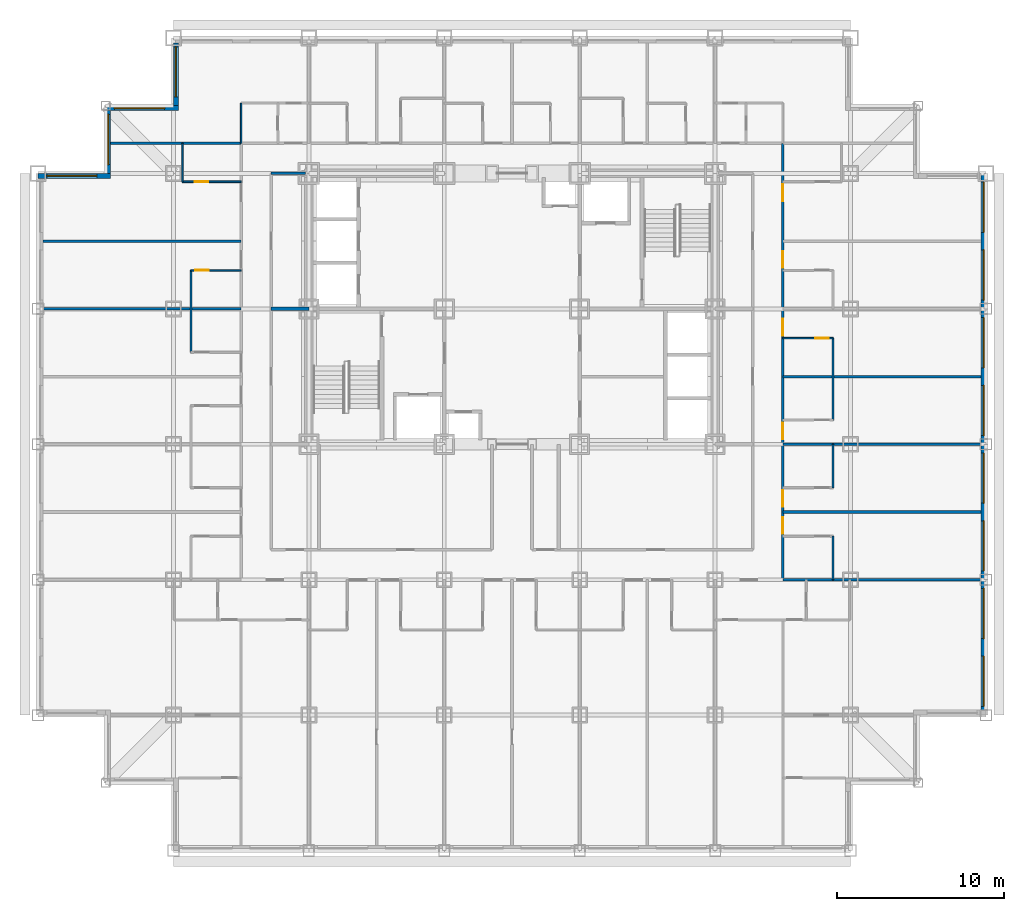
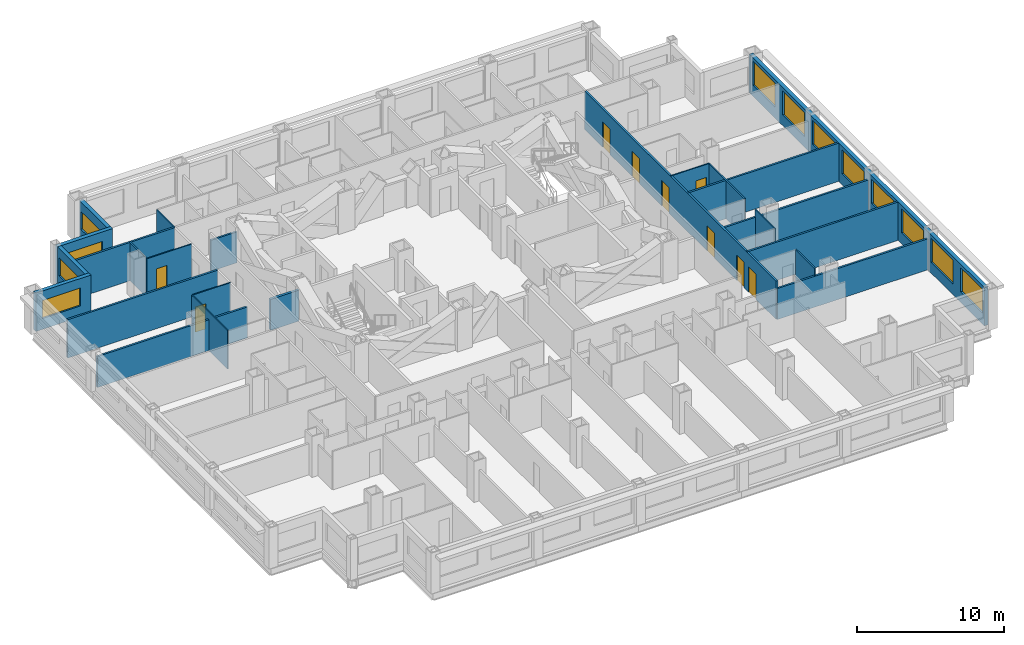
# One storey, part 7 of 11: 24 walls, 12 windows, 9 doors, 21 openings.
"""IFC4 building model written with IfcOpenShell, lengths in metres."""

from ifc_helpers import new_model, si_unit, direction, frame, frame_2d, origin, place, context, subcontext, project, spatial, rectangle, extrude, material, layer, layer_set, type_object, element, fill, save


model = new_model("IFC4")

# Units and contexts
model_context = context("Model", 3, precision=1e-05, world=origin(), true_north=direction((0.0, 1.0)))
body_context = subcontext(model_context, "Body", "Model", "MODEL_VIEW")
ifc_project = project(units=[si_unit("LENGTHUNIT", "METRE"), si_unit("AREAUNIT", "SQUARE_METRE"), si_unit("VOLUMEUNIT", "CUBIC_METRE"), si_unit("PLANEANGLEUNIT", "RADIAN"), si_unit("MASSUNIT", "GRAM", prefix="KILO")], contexts=[model_context])

# Site, building, storey
site_placement = place(None, origin())
site = spatial("IfcSite", under=ifc_project, at=site_placement, CompositionType="ELEMENT")
building_placement = place(site_placement, origin())
building = spatial("IfcBuilding", under=site, at=building_placement, Name="Kopane Lantern Tower", CompositionType="ELEMENT")
storey_placement = place(building_placement, frame((0.0, 0.0, 33.0)))
storey = spatial("IfcBuildingStorey", under=building, at=storey_placement, Name="L06", CompositionType="ELEMENT", Elevation=33.0)

# Wall
ifc_material_1 = material(Name="Moisture-resistant board on steel studs", Category="steel")
ifc_layer_1 = layer(ifc_material_1, 0.10009765625)
ifc_layer_set_1 = layer_set([ifc_layer_1], Name="BATHROOM WALL 100")
wall_type_1 = type_object("IfcWallType", Name="BATHROOM WALL 100", PredefinedType="PARTITIONING", material=ifc_layer_set_1)
wall_1_placement = place(storey_placement, frame((9.14990234375, 29.800048828125, 0.0), z_axis=(0.0, 0.0, 1.0), x_axis=(0.0, 1.0, 0.0)))
element("IfcWall", 1, at=wall_1_placement, inside=storey, type_object=wall_type_1, Name="Bathroom Wall 100 L06", PredefinedType="PARTITIONING", context=body_context, shape_type="SweptSolid", body=[
    extrude(rectangle(XDim=4.89990234375, YDim=0.10009765625, at=frame_2d((2.449951171875, 0.0))), origin(), (0.0, 0.0, 1.0), 3.18994140625),
])

# Wall, opening, door
wall_2_placement = place(storey_placement, frame((12.14990234375, 34.699951171875, 0.0), z_axis=(0.0, 0.0, 1.0), x_axis=(-1.0, 0.0, 0.0)))
wall_2 = element("IfcWall", 2, at=wall_2_placement, inside=storey, type_object=wall_type_1, Name="Bathroom Wall 100 L06", PredefinedType="PARTITIONING", context=body_context, shape_type="SweptSolid", body=[
    extrude(rectangle(XDim=3.0, YDim=0.10009765625, at=frame_2d((1.5, 0.0))), origin(), (0.0, 0.0, 1.0), 3.18994140625),
])
opening_1_placement = place(wall_2_placement, frame((1.949951171875, 0.0, 0.0)))
opening_1 = element("IfcOpeningElement", 3, at=opening_1_placement, cuts=wall_2, Name="Opening L06-043", PredefinedType="OPENING", context=body_context, shape_type="SweptSolid", body=[
    extrude(rectangle(XDim=0.800048828125, YDim=2.10009765625, at=frame_2d((0.39990234375, 1.050048828125))), frame((0.0, 0.06005859375, 0.0), z_axis=(0.0, -1.0, 0.0), x_axis=(1.0, 0.0, 0.0)), (0.0, 0.0, 1.0), 0.1201171875),
])
ifc_material_2 = material(Name="Timber door set", Category="wood")
door_type_1 = type_object("IfcDoorType", Name="DOOR D2 800x2100", OperationType="SINGLE_SWING_LEFT", PredefinedType="DOOR", material=ifc_material_2)
door_1_placement = place(opening_1_placement, origin())
door_1 = element("IfcDoor", 4, at=door_1_placement, inside=storey, type_object=door_type_1, Name="Door L06-043", OperationType="SINGLE_SWING_RIGHT", OverallHeight=2.10009765625, OverallWidth=0.800048828125, PredefinedType="DOOR", context=body_context, shape_type="SweptSolid", body=[
    extrude(rectangle(XDim=0.800048828125, YDim=2.10009765625, at=frame_2d((0.39990234375, 1.050048828125))), frame((0.0, 0.02490234375, 0.0), z_axis=(0.0, -1.0, 0.0), x_axis=(1.0, 0.0, 0.0)), (0.0, 0.0, 1.0), 0.050048828125),
])
fill(opening_1, door_1)

# Wall
wall_3_placement = place(storey_placement, frame((8.635009765625, 40.0, 0.0), z_axis=(0.0, 0.0, 1.0), x_axis=(0.0, 1.0, 0.0)))
element("IfcWall", 5, at=wall_3_placement, inside=storey, type_object=wall_type_1, Name="Bathroom Wall 100 L06", PredefinedType="PARTITIONING", context=body_context, shape_type="SweptSolid", body=[
    extrude(rectangle(XDim=2.300048828125, YDim=0.10009765625, at=frame_2d((1.14990234375, 0.0))), origin(), (0.0, 0.0, 1.0), 3.18994140625),
])

# Wall, opening, door
wall_4_placement = place(storey_placement, frame((12.14990234375, 40.0, 0.0), z_axis=(0.0, 0.0, 1.0), x_axis=(-1.0, 0.0, 0.0)))
wall_4 = element("IfcWall", 6, at=wall_4_placement, inside=storey, type_object=wall_type_1, Name="Bathroom Wall 100 L06", PredefinedType="PARTITIONING", context=body_context, shape_type="SweptSolid", body=[
    extrude(rectangle(XDim=3.514892578125, YDim=0.10009765625, at=frame_2d((1.75732421875, 0.0))), origin(), (0.0, 0.0, 1.0), 3.18994140625),
])
opening_2_placement = place(wall_4_placement, frame((1.965087890625, 0.0, 0.0)))
opening_2 = element("IfcOpeningElement", 7, at=opening_2_placement, cuts=wall_4, Name="Opening L06-045", PredefinedType="OPENING", context=body_context, shape_type="SweptSolid", body=[
    extrude(rectangle(XDim=0.800048828125, YDim=2.10009765625, at=frame_2d((0.39990234375, 1.050048828125))), frame((0.0, 0.06005859375, 0.0), z_axis=(0.0, -1.0, 0.0), x_axis=(1.0, 0.0, 0.0)), (0.0, 0.0, 1.0), 0.1201171875),
])
door_2_placement = place(opening_2_placement, origin())
door_2 = element("IfcDoor", 8, at=door_2_placement, inside=storey, type_object=door_type_1, Name="Door L06-045", OperationType="SINGLE_SWING_LEFT", OverallHeight=2.10009765625, OverallWidth=0.800048828125, PredefinedType="DOOR", context=body_context, shape_type="SweptSolid", body=[
    extrude(rectangle(XDim=0.800048828125, YDim=2.10009765625, at=frame_2d((0.39990234375, 1.050048828125))), frame((0.0, 0.02490234375, 0.0), z_axis=(0.0, -1.0, 0.0), x_axis=(1.0, 0.0, 0.0)), (0.0, 0.0, 1.0), 0.050048828125),
])
fill(opening_2, door_2)

# Walls
for number, where, z_axis, x_axis, name in (
    (9, (47.550048828125, 16.199951171875, 0.0), (0.0, 0.0, 1.0), (0.0, 1.0, 0.0), "Bathroom Wall 100 L06"),
    (10, (47.550048828125, 21.699951171875, 0.0), (0.0, 0.0, 1.0), (0.0, 1.0, 0.0), "Bathroom Wall 100 L06"),
):
    element("IfcWall", number, at=place(storey_placement, frame(where, z_axis=z_axis, x_axis=x_axis)), inside=storey, type_object=wall_type_1, Name=name, PredefinedType="PARTITIONING", context=body_context, shape_type="SweptSolid", body=[
        extrude(rectangle(XDim=2.60009765625, YDim=0.10009765625, at=frame_2d((1.300048828125, 0.0))), origin(), (0.0, 0.0, 1.0), 3.18994140625),
    ])
wall_5_placement = place(storey_placement, frame((47.550048828125, 25.75, 0.0), z_axis=(0.0, 0.0, 1.0), x_axis=(0.0, 1.0, 0.0)))
element("IfcWall", 11, at=wall_5_placement, inside=storey, type_object=wall_type_1, Name="Bathroom Wall 100 L06", PredefinedType="PARTITIONING", context=body_context, shape_type="SweptSolid", body=[
    extrude(rectangle(XDim=4.89990234375, YDim=0.10009765625, at=frame_2d((2.449951171875, 0.0))), origin(), (0.0, 0.0, 1.0), 3.18994140625),
])

# Wall, opening, door
wall_6_placement = place(storey_placement, frame((44.550048828125, 30.64990234375, 0.0), z_axis=(0.0, 0.0, 1.0), x_axis=(1.0, 0.0, 0.0)))
wall_6 = element("IfcWall", 12, at=wall_6_placement, inside=storey, type_object=wall_type_1, Name="Bathroom Wall 100 L06", PredefinedType="PARTITIONING", context=body_context, shape_type="SweptSolid", body=[
    extrude(rectangle(XDim=3.0, YDim=0.10009765625, at=frame_2d((1.5, 0.0))), origin(), (0.0, 0.0, 1.0), 3.18994140625),
])
opening_3_placement = place(wall_6_placement, frame((1.949951171875, 0.0, 0.0)))
opening_3 = element("IfcOpeningElement", 13, at=opening_3_placement, cuts=wall_6, Name="Opening L06-053", PredefinedType="OPENING", context=body_context, shape_type="SweptSolid", body=[
    extrude(rectangle(XDim=0.800048828125, YDim=2.10009765625, at=frame_2d((0.39990234375, 1.050048828125))), frame((0.0, 0.06005859375, 0.0), z_axis=(0.0, -1.0, 0.0), x_axis=(1.0, 0.0, 0.0)), (0.0, 0.0, 1.0), 0.1201171875),
])
door_3_placement = place(opening_3_placement, origin())
door_3 = element("IfcDoor", 14, at=door_3_placement, inside=storey, type_object=door_type_1, Name="Door L06-053", OperationType="SINGLE_SWING_LEFT", OverallHeight=2.10009765625, OverallWidth=0.800048828125, PredefinedType="DOOR", context=body_context, shape_type="SweptSolid", body=[
    extrude(rectangle(XDim=0.800048828125, YDim=2.10009765625, at=frame_2d((0.39990234375, 1.050048828125))), frame((0.0, 0.02490234375, 0.0), z_axis=(0.0, -1.0, 0.0), x_axis=(1.0, 0.0, 0.0)), (0.0, 0.0, 1.0), 0.050048828125),
])
fill(opening_3, door_3)

# Wall
wall_7_placement = place(storey_placement, frame((12.14990234375, 42.300048828125, 0.0), z_axis=(0.0, 0.0, 1.0), x_axis=(0.0, 1.0, 0.0)))
element("IfcWall", 15, at=wall_7_placement, inside=storey, type_object=wall_type_1, Name="Bathroom Wall 100 L06", PredefinedType="PARTITIONING", context=body_context, shape_type="SweptSolid", body=[
    extrude(rectangle(XDim=2.39990234375, YDim=0.10009765625, at=frame_2d((1.199951171875, 0.0))), origin(), (0.0, 0.0, 1.0), 3.18994140625),
])

# Wall, openings, doors
ifc_material_3 = material(Name="Gypsum board on steel studs", Category="steel")
ifc_layer_2 = layer(ifc_material_3, 0.14990234375)
ifc_layer_set_2 = layer_set([ifc_layer_2], Name="CORRIDOR WALL 150 EI 60")
wall_type_2 = type_object("IfcWallType", Name="CORRIDOR WALL 150 EI 60", PredefinedType="PARTITIONING", material=ifc_layer_set_2)
wall_8_placement = place(storey_placement, frame((44.550048828125, 16.199951171875, 0.0), z_axis=(0.0, 0.0, 1.0), x_axis=(0.0, 1.0, 0.0)))
wall_8 = element("IfcWall", 16, at=wall_8_placement, inside=storey, type_object=wall_type_2, Name="Corridor Wall 150 Ei 60 L06", PredefinedType="PARTITIONING", context=body_context, shape_type="SweptSolid", body=[
    extrude(rectangle(XDim=26.10009765625, YDim=0.14990234375, at=frame_2d((13.050048828125, 0.0))), origin(), (0.0, 0.0, 1.0), 3.18994140625),
])
opening_4_placement = place(wall_8_placement, frame((2.75, 0.0, 0.0)))
opening_4 = element("IfcOpeningElement", 17, at=opening_4_placement, cuts=wall_8, Name="Opening L06-048", PredefinedType="OPENING", context=body_context, shape_type="SweptSolid", body=[
    extrude(rectangle(XDim=1.0, YDim=2.10009765625, at=frame_2d((0.5, 1.050048828125))), frame((0.0, 0.0849609375, 0.0), z_axis=(0.0, -1.0, 0.0), x_axis=(1.0, 0.0, 0.0)), (0.0, 0.0, 1.0), 0.169921875),
])
opening_5_placement = place(wall_8_placement, frame((4.35009765625, 0.0, 0.0)))
opening_5 = element("IfcOpeningElement", 18, at=opening_5_placement, cuts=wall_8, Name="Opening L06-050", PredefinedType="OPENING", context=body_context, shape_type="SweptSolid", body=[
    extrude(rectangle(XDim=1.0, YDim=2.10009765625, at=frame_2d((0.5, 1.050048828125))), frame((0.0, 0.0849609375, 0.0), z_axis=(0.0, -1.0, 0.0), x_axis=(1.0, 0.0, 0.0)), (0.0, 0.0, 1.0), 0.169921875),
])
opening_6_placement = place(wall_8_placement, frame((8.39990234375, 0.0, 0.0)))
opening_6 = element("IfcOpeningElement", 19, at=opening_6_placement, cuts=wall_8, Name="Opening L06-052", PredefinedType="OPENING", context=body_context, shape_type="SweptSolid", body=[
    extrude(rectangle(XDim=1.0, YDim=2.10009765625, at=frame_2d((0.5, 1.050048828125))), frame((0.0, 0.0849609375, 0.0), z_axis=(0.0, -1.0, 0.0), x_axis=(1.0, 0.0, 0.0)), (0.0, 0.0, 1.0), 0.169921875),
])
opening_7_placement = place(wall_8_placement, frame((14.60009765625, 0.0, 0.0)))
opening_7 = element("IfcOpeningElement", 20, at=opening_7_placement, cuts=wall_8, Name="Opening L06-054", PredefinedType="OPENING", context=body_context, shape_type="SweptSolid", body=[
    extrude(rectangle(XDim=1.0, YDim=2.10009765625, at=frame_2d((0.5, 1.050048828125))), frame((0.0, 0.0849609375, 0.0), z_axis=(0.0, -1.0, 0.0), x_axis=(1.0, 0.0, 0.0)), (0.0, 0.0, 1.0), 0.169921875),
])
opening_8_placement = place(wall_8_placement, frame((18.64990234375, 0.0, 0.0)))
opening_8 = element("IfcOpeningElement", 21, at=opening_8_placement, cuts=wall_8, Name="Opening L06-056", PredefinedType="OPENING", context=body_context, shape_type="SweptSolid", body=[
    extrude(rectangle(XDim=1.0, YDim=2.10009765625, at=frame_2d((0.5, 1.050048828125))), frame((0.0, 0.0849609375, 0.0), z_axis=(0.0, -1.0, 0.0), x_axis=(1.0, 0.0, 0.0)), (0.0, 0.0, 1.0), 0.169921875),
])
opening_9_placement = place(wall_8_placement, frame((22.64990234375, 0.0, 0.0)))
opening_9 = element("IfcOpeningElement", 22, at=opening_9_placement, cuts=wall_8, Name="Opening L06-058", PredefinedType="OPENING", context=body_context, shape_type="SweptSolid", body=[
    extrude(rectangle(XDim=1.0, YDim=2.10009765625, at=frame_2d((0.5, 1.050048828125))), frame((0.0, 0.0849609375, 0.0), z_axis=(0.0, -1.0, 0.0), x_axis=(1.0, 0.0, 0.0)), (0.0, 0.0, 1.0), 0.169921875),
])
ifc_material_4 = material(Name="Steel door set", Category="steel")
door_type_2 = type_object("IfcDoorType", Name="DOOR D1 1000x2100 FD30S", OperationType="SINGLE_SWING_LEFT", PredefinedType="DOOR", material=ifc_material_4)
door_4_placement = place(opening_4_placement, origin())
door_4 = element("IfcDoor", 23, at=door_4_placement, inside=storey, type_object=door_type_2, Name="Door L06-048", OperationType="SINGLE_SWING_RIGHT", OverallHeight=2.10009765625, OverallWidth=1.0, PredefinedType="DOOR", context=body_context, shape_type="SweptSolid", body=[
    extrude(rectangle(XDim=1.0, YDim=2.10009765625, at=frame_2d((0.5, 1.050048828125))), frame((0.0, 0.02490234375, 0.0), z_axis=(0.0, -1.0, 0.0), x_axis=(1.0, 0.0, 0.0)), (0.0, 0.0, 1.0), 0.050048828125),
])
fill(opening_4, door_4)
door_5_placement = place(opening_5_placement, origin())
door_5 = element("IfcDoor", 24, at=door_5_placement, inside=storey, type_object=door_type_2, Name="Door L06-050", OperationType="SINGLE_SWING_LEFT", OverallHeight=2.10009765625, OverallWidth=1.0, PredefinedType="DOOR", context=body_context, shape_type="SweptSolid", body=[
    extrude(rectangle(XDim=1.0, YDim=2.10009765625, at=frame_2d((0.5, 1.050048828125))), frame((0.0, 0.02490234375, 0.0), z_axis=(0.0, -1.0, 0.0), x_axis=(1.0, 0.0, 0.0)), (0.0, 0.0, 1.0), 0.050048828125),
])
fill(opening_5, door_5)
door_6_placement = place(opening_6_placement, origin())
door_6 = element("IfcDoor", 25, at=door_6_placement, inside=storey, type_object=door_type_2, Name="Door L06-052", OperationType="SINGLE_SWING_LEFT", OverallHeight=2.10009765625, OverallWidth=1.0, PredefinedType="DOOR", context=body_context, shape_type="SweptSolid", body=[
    extrude(rectangle(XDim=1.0, YDim=2.10009765625, at=frame_2d((0.5, 1.050048828125))), frame((0.0, 0.02490234375, 0.0), z_axis=(0.0, -1.0, 0.0), x_axis=(1.0, 0.0, 0.0)), (0.0, 0.0, 1.0), 0.050048828125),
])
fill(opening_6, door_6)
door_7_placement = place(opening_7_placement, origin())
door_7 = element("IfcDoor", 26, at=door_7_placement, inside=storey, type_object=door_type_2, Name="Door L06-054", OperationType="SINGLE_SWING_RIGHT", OverallHeight=2.10009765625, OverallWidth=1.0, PredefinedType="DOOR", context=body_context, shape_type="SweptSolid", body=[
    extrude(rectangle(XDim=1.0, YDim=2.10009765625, at=frame_2d((0.5, 1.050048828125))), frame((0.0, 0.02490234375, 0.0), z_axis=(0.0, -1.0, 0.0), x_axis=(1.0, 0.0, 0.0)), (0.0, 0.0, 1.0), 0.050048828125),
])
fill(opening_7, door_7)
door_8_placement = place(opening_8_placement, origin())
door_8 = element("IfcDoor", 27, at=door_8_placement, inside=storey, type_object=door_type_2, Name="Door L06-056", OperationType="SINGLE_SWING_RIGHT", OverallHeight=2.10009765625, OverallWidth=1.0, PredefinedType="DOOR", context=body_context, shape_type="SweptSolid", body=[
    extrude(rectangle(XDim=1.0, YDim=2.10009765625, at=frame_2d((0.5, 1.050048828125))), frame((0.0, 0.02490234375, 0.0), z_axis=(0.0, -1.0, 0.0), x_axis=(1.0, 0.0, 0.0)), (0.0, 0.0, 1.0), 0.050048828125),
])
fill(opening_8, door_8)
door_9_placement = place(opening_9_placement, origin())
door_9 = element("IfcDoor", 28, at=door_9_placement, inside=storey, type_object=door_type_2, Name="Door L06-058", OperationType="SINGLE_SWING_LEFT", OverallHeight=2.10009765625, OverallWidth=1.0, PredefinedType="DOOR", context=body_context, shape_type="SweptSolid", body=[
    extrude(rectangle(XDim=1.0, YDim=2.10009765625, at=frame_2d((0.5, 1.050048828125))), frame((0.0, 0.02490234375, 0.0), z_axis=(0.0, -1.0, 0.0), x_axis=(1.0, 0.0, 0.0)), (0.0, 0.0, 1.0), 0.050048828125),
])
fill(opening_9, door_9)

# Walls
wall_9_placement = place(storey_placement, frame((16.0, 40.5, 0.0), z_axis=(0.0, 0.0, 1.0), x_axis=(-1.0, 0.0, 0.0)))
element("IfcWall", 29, at=wall_9_placement, inside=storey, type_object=wall_type_2, Name="Corridor Wall 150 Ei 60 L06", PredefinedType="PARTITIONING", context=body_context, shape_type="SweptSolid", body=[
    extrude(rectangle(XDim=2.050048828125, YDim=0.14990234375, at=frame_2d((1.02490234375, 0.0))), origin(), (0.0, 0.0, 1.0), 2.577880859375),
])
ifc_material_5 = material(Name="Gypsum board on steel studs", Category="steel")
ifc_layer_3 = layer(ifc_material_5, 0.14990234375)
ifc_layer_set_3 = layer_set([ifc_layer_3], Name="DEMISING WALL 150 EI 60")
wall_type_3 = type_object("IfcWallType", Name="DEMISING WALL 150 EI 60", PredefinedType="PARTITIONING", material=ifc_layer_set_3)
wall_10_placement = place(storey_placement, frame((12.14990234375, 32.39990234375, 0.0), z_axis=(0.0, 0.0, 1.0), x_axis=(-1.0, 0.0, 0.0)))
element("IfcWall", 30, at=wall_10_placement, inside=storey, type_object=wall_type_3, Name="Demising Wall 150 Ei 60 L06", PredefinedType="PARTITIONING", context=body_context, shape_type="SweptSolid", body=[
    extrude(rectangle(XDim=11.849853515625, YDim=0.14990234375, at=frame_2d((5.9248046875, 0.0))), origin(), (0.0, 0.0, 1.0), 2.577880859375),
])
for number, where, z_axis, x_axis, name in (
    (31, (12.14990234375, 36.449951171875, 0.0), (0.0, 0.0, 1.0), (-1.0, 0.0, 0.0), "Demising Wall 150 Ei 60 L06"),
    (32, (44.550048828125, 20.25, 0.0), (0.0, 0.0, 1.0), (1.0, 0.0, 0.0), "Demising Wall 150 Ei 60 L06"),
):
    element("IfcWall", number, at=place(storey_placement, frame(where, z_axis=z_axis, x_axis=x_axis)), inside=storey, type_object=wall_type_3, Name=name, PredefinedType="PARTITIONING", context=body_context, shape_type="SweptSolid", body=[
        extrude(rectangle(XDim=11.849853515625, YDim=0.14990234375, at=frame_2d((5.9248046875, 0.0))), origin(), (0.0, 0.0, 1.0), 3.18994140625),
    ])
wall_11_placement = place(storey_placement, frame((44.550048828125, 24.300048828125, 0.0), z_axis=(0.0, 0.0, 1.0), x_axis=(1.0, 0.0, 0.0)))
element("IfcWall", 33, at=wall_11_placement, inside=storey, type_object=wall_type_3, Name="Demising Wall 150 Ei 60 L06", PredefinedType="PARTITIONING", context=body_context, shape_type="SweptSolid", body=[
    extrude(rectangle(XDim=11.849853515625, YDim=0.14990234375, at=frame_2d((5.9248046875, 0.0))), origin(), (0.0, 0.0, 1.0), 2.577880859375),
])
wall_12_placement = place(storey_placement, frame((44.550048828125, 28.35009765625, 0.0), z_axis=(0.0, 0.0, 1.0), x_axis=(1.0, 0.0, 0.0)))
element("IfcWall", 34, at=wall_12_placement, inside=storey, type_object=wall_type_3, Name="Demising Wall 150 Ei 60 L06", PredefinedType="PARTITIONING", context=body_context, shape_type="SweptSolid", body=[
    extrude(rectangle(XDim=11.849853515625, YDim=0.14990234375, at=frame_2d((5.9248046875, 0.0))), origin(), (0.0, 0.0, 1.0), 3.18994140625),
])
wall_13_placement = place(storey_placement, frame((44.550048828125, 16.199951171875, 0.0), z_axis=(0.0, 0.0, 1.0), x_axis=(1.0, 0.0, 0.0)))
element("IfcWall", 35, at=wall_13_placement, inside=storey, type_object=wall_type_3, Name="Demising Wall 150 Ei 60 L06", PredefinedType="PARTITIONING", context=body_context, shape_type="SweptSolid", body=[
    extrude(rectangle(XDim=11.849853515625, YDim=0.14990234375, at=frame_2d((5.9248046875, 0.0))), origin(), (0.0, 0.0, 1.0), 2.577880859375),
])
wall_14_placement = place(storey_placement, frame((4.35009765625, 42.300048828125, 0.0), z_axis=(0.0, 0.0, 1.0), x_axis=(1.0, 0.0, 0.0)))
element("IfcWall", 36, at=wall_14_placement, inside=storey, type_object=wall_type_3, Name="Demising Wall 150 Ei 60 L06", PredefinedType="PARTITIONING", context=body_context, shape_type="SweptSolid", body=[
    extrude(rectangle(XDim=7.7998046875, YDim=0.14990234375, at=frame_2d((3.89990234375, 0.0))), origin(), (0.0, 0.0, 1.0), 3.18994140625),
])

# Wall, openings, windows
ifc_material_6 = material(Name="Terracotta rainscreen on light steel framing", Category="masonry")
ifc_layer_4 = layer(ifc_material_6, 0.300048828125)
ifc_layer_set_4 = layer_set([ifc_layer_4], Name="EXTERNAL WALL EW1 300 TERRACOTTA")
wall_type_4 = type_object("IfcWallType", Name="EXTERNAL WALL EW1 300 TERRACOTTA", PredefinedType="SOLIDWALL", material=ifc_layer_set_4)
wall_15_placement = place(storey_placement, frame((56.550048828125, 8.39990234375, 0.0), z_axis=(0.0, 0.0, 1.0), x_axis=(0.0, 1.0, 0.0)))
wall_15 = element("IfcWall", 37, at=wall_15_placement, inside=storey, type_object=wall_type_4, Name="External wall E L06", PredefinedType="SOLIDWALL", context=body_context, shape_type="SweptSolid", body=[
    extrude(rectangle(XDim=32.10009765625, YDim=0.300048828125, at=frame_2d((16.050048828125, 0.0))), origin(), (0.0, 0.0, 1.0), 3.18994140625),
])
opening_10_placement = place(wall_15_placement, frame((0.22509765625, 0.0, 0.89990234375)))
opening_10 = element("IfcOpeningElement", 38, at=opening_10_placement, cuts=wall_15, Name="Opening WR300200", PredefinedType="OPENING", context=body_context, shape_type="SweptSolid", body=[
    extrude(rectangle(XDim=3.0, YDim=2.0, at=frame_2d((1.5, 1.0))), frame((0.0, 0.159912109375, 0.0), z_axis=(0.0, -1.0, 0.0), x_axis=(1.0, 0.0, 0.0)), (0.0, 0.0, 1.0), 0.320068359375),
])
opening_11_placement = place(wall_15_placement, frame((4.27490234375, 0.0, 0.89990234375)))
opening_11 = element("IfcOpeningElement", 39, at=opening_11_placement, cuts=wall_15, Name="Opening WR300200", PredefinedType="OPENING", context=body_context, shape_type="SweptSolid", body=[
    extrude(rectangle(XDim=3.0, YDim=2.0, at=frame_2d((1.5, 1.0))), frame((0.0, 0.159912109375, 0.0), z_axis=(0.0, -1.0, 0.0), x_axis=(1.0, 0.0, 0.0)), (0.0, 0.0, 1.0), 0.320068359375),
])
opening_12_placement = place(wall_15_placement, frame((8.324951171875, 0.0, 0.89990234375)))
opening_12 = element("IfcOpeningElement", 40, at=opening_12_placement, cuts=wall_15, Name="Opening WR300200", PredefinedType="OPENING", context=body_context, shape_type="SweptSolid", body=[
    extrude(rectangle(XDim=3.0, YDim=2.0, at=frame_2d((1.5, 1.0))), frame((0.0, 0.159912109375, 0.0), z_axis=(0.0, -1.0, 0.0), x_axis=(1.0, 0.0, 0.0)), (0.0, 0.0, 1.0), 0.320068359375),
])
opening_13_placement = place(wall_15_placement, frame((12.375, 0.0, 0.89990234375)))
opening_13 = element("IfcOpeningElement", 41, at=opening_13_placement, cuts=wall_15, Name="Opening WR300200", PredefinedType="OPENING", context=body_context, shape_type="SweptSolid", body=[
    extrude(rectangle(XDim=3.0, YDim=2.0, at=frame_2d((1.5, 1.0))), frame((0.0, 0.159912109375, 0.0), z_axis=(0.0, -1.0, 0.0), x_axis=(1.0, 0.0, 0.0)), (0.0, 0.0, 1.0), 0.320068359375),
])
opening_14_placement = place(wall_15_placement, frame((16.425048828125, 0.0, 0.89990234375)))
opening_14 = element("IfcOpeningElement", 42, at=opening_14_placement, cuts=wall_15, Name="Opening WR300200", PredefinedType="OPENING", context=body_context, shape_type="SweptSolid", body=[
    extrude(rectangle(XDim=3.0, YDim=2.0, at=frame_2d((1.5, 1.0))), frame((0.0, 0.159912109375, 0.0), z_axis=(0.0, -1.0, 0.0), x_axis=(1.0, 0.0, 0.0)), (0.0, 0.0, 1.0), 0.320068359375),
])
opening_15_placement = place(wall_15_placement, frame((20.47509765625, 0.0, 0.89990234375)))
opening_15 = element("IfcOpeningElement", 43, at=opening_15_placement, cuts=wall_15, Name="Opening WR300200", PredefinedType="OPENING", context=body_context, shape_type="SweptSolid", body=[
    extrude(rectangle(XDim=3.0, YDim=2.0, at=frame_2d((1.5, 1.0))), frame((0.0, 0.159912109375, 0.0), z_axis=(0.0, -1.0, 0.0), x_axis=(1.0, 0.0, 0.0)), (0.0, 0.0, 1.0), 0.320068359375),
])
opening_16_placement = place(wall_15_placement, frame((24.52490234375, 0.0, 0.89990234375)))
opening_16 = element("IfcOpeningElement", 44, at=opening_16_placement, cuts=wall_15, Name="Opening WR300200", PredefinedType="OPENING", context=body_context, shape_type="SweptSolid", body=[
    extrude(rectangle(XDim=3.0, YDim=2.0, at=frame_2d((1.5, 1.0))), frame((0.0, 0.159912109375, 0.0), z_axis=(0.0, -1.0, 0.0), x_axis=(1.0, 0.0, 0.0)), (0.0, 0.0, 1.0), 0.320068359375),
])
opening_17_placement = place(wall_15_placement, frame((28.574951171875, 0.0, 0.89990234375)))
opening_17 = element("IfcOpeningElement", 45, at=opening_17_placement, cuts=wall_15, Name="Opening WR300200", PredefinedType="OPENING", context=body_context, shape_type="SweptSolid", body=[
    extrude(rectangle(XDim=3.0, YDim=2.0, at=frame_2d((1.5, 1.0))), frame((0.0, 0.159912109375, 0.0), z_axis=(0.0, -1.0, 0.0), x_axis=(1.0, 0.0, 0.0)), (0.0, 0.0, 1.0), 0.320068359375),
])
ifc_material_7 = material(Name="Aluminium and clear glass", Category="aluminium")
window_type_1 = type_object("IfcWindowType", Name="RIBBON WINDOW WR300200 3000x2000", PartitioningType="SINGLE_PANEL", PredefinedType="WINDOW", material=ifc_material_7)
window_1_placement = place(opening_10_placement, origin())
window_1 = element("IfcWindow", 46, at=window_1_placement, inside=storey, type_object=window_type_1, Name="Window E L06", OverallHeight=2.0, OverallWidth=3.0, PartitioningType="SINGLE_PANEL", PredefinedType="WINDOW", context=body_context, shape_type="SweptSolid", body=[
    extrude(rectangle(XDim=3.0, YDim=2.0, at=frame_2d((1.5, 1.0))), frame((0.0, 0.030029296875, 0.0), z_axis=(0.0, -1.0, 0.0), x_axis=(1.0, 0.0, 0.0)), (0.0, 0.0, 1.0), 0.06005859375),
])
fill(opening_10, window_1)
window_2_placement = place(opening_11_placement, origin())
window_2 = element("IfcWindow", 47, at=window_2_placement, inside=storey, type_object=window_type_1, Name="Window E L06", OverallHeight=2.0, OverallWidth=3.0, PartitioningType="SINGLE_PANEL", PredefinedType="WINDOW", context=body_context, shape_type="SweptSolid", body=[
    extrude(rectangle(XDim=3.0, YDim=2.0, at=frame_2d((1.5, 1.0))), frame((0.0, 0.030029296875, 0.0), z_axis=(0.0, -1.0, 0.0), x_axis=(1.0, 0.0, 0.0)), (0.0, 0.0, 1.0), 0.06005859375),
])
fill(opening_11, window_2)
window_3_placement = place(opening_12_placement, origin())
window_3 = element("IfcWindow", 48, at=window_3_placement, inside=storey, type_object=window_type_1, Name="Window E L06", OverallHeight=2.0, OverallWidth=3.0, PartitioningType="SINGLE_PANEL", PredefinedType="WINDOW", context=body_context, shape_type="SweptSolid", body=[
    extrude(rectangle(XDim=3.0, YDim=2.0, at=frame_2d((1.5, 1.0))), frame((0.0, 0.030029296875, 0.0), z_axis=(0.0, -1.0, 0.0), x_axis=(1.0, 0.0, 0.0)), (0.0, 0.0, 1.0), 0.06005859375),
])
fill(opening_12, window_3)
window_4_placement = place(opening_13_placement, origin())
window_4 = element("IfcWindow", 49, at=window_4_placement, inside=storey, type_object=window_type_1, Name="Window E L06", OverallHeight=2.0, OverallWidth=3.0, PartitioningType="SINGLE_PANEL", PredefinedType="WINDOW", context=body_context, shape_type="SweptSolid", body=[
    extrude(rectangle(XDim=3.0, YDim=2.0, at=frame_2d((1.5, 1.0))), frame((0.0, 0.030029296875, 0.0), z_axis=(0.0, -1.0, 0.0), x_axis=(1.0, 0.0, 0.0)), (0.0, 0.0, 1.0), 0.06005859375),
])
fill(opening_13, window_4)
window_5_placement = place(opening_14_placement, origin())
window_5 = element("IfcWindow", 50, at=window_5_placement, inside=storey, type_object=window_type_1, Name="Window E L06", OverallHeight=2.0, OverallWidth=3.0, PartitioningType="SINGLE_PANEL", PredefinedType="WINDOW", context=body_context, shape_type="SweptSolid", body=[
    extrude(rectangle(XDim=3.0, YDim=2.0, at=frame_2d((1.5, 1.0))), frame((0.0, 0.030029296875, 0.0), z_axis=(0.0, -1.0, 0.0), x_axis=(1.0, 0.0, 0.0)), (0.0, 0.0, 1.0), 0.06005859375),
])
fill(opening_14, window_5)
window_6_placement = place(opening_15_placement, origin())
window_6 = element("IfcWindow", 51, at=window_6_placement, inside=storey, type_object=window_type_1, Name="Window E L06", OverallHeight=2.0, OverallWidth=3.0, PartitioningType="SINGLE_PANEL", PredefinedType="WINDOW", context=body_context, shape_type="SweptSolid", body=[
    extrude(rectangle(XDim=3.0, YDim=2.0, at=frame_2d((1.5, 1.0))), frame((0.0, 0.030029296875, 0.0), z_axis=(0.0, -1.0, 0.0), x_axis=(1.0, 0.0, 0.0)), (0.0, 0.0, 1.0), 0.06005859375),
])
fill(opening_15, window_6)
window_7_placement = place(opening_16_placement, origin())
window_7 = element("IfcWindow", 52, at=window_7_placement, inside=storey, type_object=window_type_1, Name="Window E L06", OverallHeight=2.0, OverallWidth=3.0, PartitioningType="SINGLE_PANEL", PredefinedType="WINDOW", context=body_context, shape_type="SweptSolid", body=[
    extrude(rectangle(XDim=3.0, YDim=2.0, at=frame_2d((1.5, 1.0))), frame((0.0, 0.030029296875, 0.0), z_axis=(0.0, -1.0, 0.0), x_axis=(1.0, 0.0, 0.0)), (0.0, 0.0, 1.0), 0.06005859375),
])
fill(opening_16, window_7)
window_8_placement = place(opening_17_placement, origin())
window_8 = element("IfcWindow", 53, at=window_8_placement, inside=storey, type_object=window_type_1, Name="Window E L06", OverallHeight=2.0, OverallWidth=3.0, PartitioningType="SINGLE_PANEL", PredefinedType="WINDOW", context=body_context, shape_type="SweptSolid", body=[
    extrude(rectangle(XDim=3.0, YDim=2.0, at=frame_2d((1.5, 1.0))), frame((0.0, 0.030029296875, 0.0), z_axis=(0.0, -1.0, 0.0), x_axis=(1.0, 0.0, 0.0)), (0.0, 0.0, 1.0), 0.06005859375),
])
fill(opening_17, window_8)

# Wall, opening, window
wall_16_placement = place(storey_placement, frame((8.25, 48.300048828125, 0.0), z_axis=(0.0, 0.0, 1.0), x_axis=(0.0, -1.0, 0.0)))
wall_16 = element("IfcWall", 54, at=wall_16_placement, inside=storey, type_object=wall_type_4, Name="External wall W L06", PredefinedType="SOLIDWALL", context=body_context, shape_type="SweptSolid", body=[
    extrude(rectangle(XDim=3.75, YDim=0.300048828125, at=frame_2d((1.875, 0.0))), origin(), (0.0, 0.0, 1.0), 3.18994140625),
])
opening_18_placement = place(wall_16_placement, frame((0.22509765625, 0.0, 0.89990234375)))
opening_18 = element("IfcOpeningElement", 55, at=opening_18_placement, cuts=wall_16, Name="Opening WR300150", PredefinedType="OPENING", context=body_context, shape_type="SweptSolid", body=[
    extrude(rectangle(XDim=3.0, YDim=1.5, at=frame_2d((1.5, 0.75))), frame((0.0, 0.159912109375, 0.0), z_axis=(0.0, -1.0, 0.0), x_axis=(1.0, 0.0, 0.0)), (0.0, 0.0, 1.0), 0.320068359375),
])
ifc_material_8 = material(Name="Aluminium and clear glass", Category="aluminium")
window_type_2 = type_object("IfcWindowType", Name="RIBBON WINDOW WR300150 3000x1500", PartitioningType="SINGLE_PANEL", PredefinedType="WINDOW", material=ifc_material_8)
window_9_placement = place(opening_18_placement, origin())
window_9 = element("IfcWindow", 56, at=window_9_placement, inside=storey, type_object=window_type_2, Name="Window W L06", OverallHeight=1.5, OverallWidth=3.0, PartitioningType="SINGLE_PANEL", PredefinedType="WINDOW", context=body_context, shape_type="SweptSolid", body=[
    extrude(rectangle(XDim=3.0, YDim=1.5, at=frame_2d((1.5, 0.75))), frame((0.0, 0.030029296875, 0.0), z_axis=(0.0, -1.0, 0.0), x_axis=(1.0, 0.0, 0.0)), (0.0, 0.0, 1.0), 0.06005859375),
])
fill(opening_18, window_9)

wall_17_placement = place(storey_placement, frame((8.39990234375, 44.39990234375, 0.0), z_axis=(0.0, 0.0, 1.0), x_axis=(-1.0, 0.0, 0.0)))
wall_17 = element("IfcWall", 57, at=wall_17_placement, inside=storey, type_object=wall_type_4, Name="External wall N L06", PredefinedType="SOLIDWALL", context=body_context, shape_type="SweptSolid", body=[
    extrude(rectangle(XDim=4.349853515625, YDim=0.300048828125, at=frame_2d((2.1748046875, 0.0))), origin(), (0.0, 0.0, 1.0), 3.18994140625),
])
opening_19_placement = place(wall_17_placement, frame((0.824951171875, 0.0, 0.89990234375)))
opening_19 = element("IfcOpeningElement", 58, at=opening_19_placement, cuts=wall_17, Name="Opening WR300150", PredefinedType="OPENING", context=body_context, shape_type="SweptSolid", body=[
    extrude(rectangle(XDim=3.0, YDim=1.5, at=frame_2d((1.5, 0.75))), frame((0.0, 0.159912109375, 0.0), z_axis=(0.0, -1.0, 0.0), x_axis=(1.0, 0.0, 0.0)), (0.0, 0.0, 1.0), 0.320068359375),
])
window_10_placement = place(opening_19_placement, origin())
window_10 = element("IfcWindow", 59, at=window_10_placement, inside=storey, type_object=window_type_2, Name="Window N L06", OverallHeight=1.5, OverallWidth=3.0, PartitioningType="SINGLE_PANEL", PredefinedType="WINDOW", context=body_context, shape_type="SweptSolid", body=[
    extrude(rectangle(XDim=3.0, YDim=1.5, at=frame_2d((1.5, 0.75))), frame((0.0, 0.030029296875, 0.0), z_axis=(0.0, -1.0, 0.0), x_axis=(1.0, 0.0, 0.0)), (0.0, 0.0, 1.0), 0.06005859375),
])
fill(opening_19, window_10)

wall_18_placement = place(storey_placement, frame((4.199951171875, 44.25, 0.0), z_axis=(0.0, 0.0, 1.0), x_axis=(0.0, -1.0, 0.0)))
wall_18 = element("IfcWall", 60, at=wall_18_placement, inside=storey, type_object=wall_type_4, Name="External wall W L06", PredefinedType="SOLIDWALL", context=body_context, shape_type="SweptSolid", body=[
    extrude(rectangle(XDim=3.75, YDim=0.300048828125, at=frame_2d((1.875, 0.0))), origin(), (0.0, 0.0, 1.0), 3.18994140625),
])
opening_20_placement = place(wall_18_placement, frame((0.22509765625, 0.0, 0.89990234375)))
opening_20 = element("IfcOpeningElement", 61, at=opening_20_placement, cuts=wall_18, Name="Opening WR300150", PredefinedType="OPENING", context=body_context, shape_type="SweptSolid", body=[
    extrude(rectangle(XDim=3.0, YDim=1.5, at=frame_2d((1.5, 0.75))), frame((0.0, 0.159912109375, 0.0), z_axis=(0.0, -1.0, 0.0), x_axis=(1.0, 0.0, 0.0)), (0.0, 0.0, 1.0), 0.320068359375),
])
window_11_placement = place(opening_20_placement, origin())
window_11 = element("IfcWindow", 62, at=window_11_placement, inside=storey, type_object=window_type_2, Name="Window W L06", OverallHeight=1.5, OverallWidth=3.0, PartitioningType="SINGLE_PANEL", PredefinedType="WINDOW", context=body_context, shape_type="SweptSolid", body=[
    extrude(rectangle(XDim=3.0, YDim=1.5, at=frame_2d((1.5, 0.75))), frame((0.0, 0.030029296875, 0.0), z_axis=(0.0, -1.0, 0.0), x_axis=(1.0, 0.0, 0.0)), (0.0, 0.0, 1.0), 0.06005859375),
])
fill(opening_20, window_11)

wall_19_placement = place(storey_placement, frame((4.35009765625, 40.35009765625, 0.0), z_axis=(0.0, 0.0, 1.0), x_axis=(-1.0, 0.0, 0.0)))
wall_19 = element("IfcWall", 63, at=wall_19_placement, inside=storey, type_object=wall_type_4, Name="External wall N L06", PredefinedType="SOLIDWALL", context=body_context, shape_type="SweptSolid", body=[
    extrude(rectangle(XDim=4.35009765625, YDim=0.300048828125, at=frame_2d((2.175048828125, 0.0))), origin(), (0.0, 0.0, 1.0), 3.18994140625),
])
opening_21_placement = place(wall_19_placement, frame((0.824951171875, 0.0, 0.89990234375)))
opening_21 = element("IfcOpeningElement", 64, at=opening_21_placement, cuts=wall_19, Name="Opening WR300150", PredefinedType="OPENING", context=body_context, shape_type="SweptSolid", body=[
    extrude(rectangle(XDim=3.0, YDim=1.5, at=frame_2d((1.5, 0.75))), frame((0.0, 0.159912109375, 0.0), z_axis=(0.0, -1.0, 0.0), x_axis=(1.0, 0.0, 0.0)), (0.0, 0.0, 1.0), 0.320068359375),
])
window_12_placement = place(opening_21_placement, origin())
window_12 = element("IfcWindow", 65, at=window_12_placement, inside=storey, type_object=window_type_2, Name="Window N L06", OverallHeight=1.5, OverallWidth=3.0, PartitioningType="SINGLE_PANEL", PredefinedType="WINDOW", context=body_context, shape_type="SweptSolid", body=[
    extrude(rectangle(XDim=3.0, YDim=1.5, at=frame_2d((1.5, 0.75))), frame((0.0, 0.030029296875, 0.0), z_axis=(0.0, -1.0, 0.0), x_axis=(1.0, 0.0, 0.0)), (0.0, 0.0, 1.0), 0.06005859375),
])
fill(opening_21, window_12)

# Wall
ifc_material_9 = material(Name="Concrete masonry", Category="masonry")
ifc_layer_5 = layer(ifc_material_9, 0.199951171875)
ifc_layer_set_5 = layer_set([ifc_layer_5], Name="PLANT ROOM WALL 200 EI 120")
wall_type_5 = type_object("IfcWallType", Name="PLANT ROOM WALL 200 EI 120", PredefinedType="SOLIDWALL", material=ifc_layer_set_5)
wall_20_placement = place(storey_placement, frame((13.949951171875, 32.39990234375, 0.0), z_axis=(0.0, 0.0, 1.0), x_axis=(1.0, 0.0, 0.0)))
element("IfcWall", 66, at=wall_20_placement, inside=storey, type_object=wall_type_5, Name="Plant Room Wall 200 Ei 120 L06", PredefinedType="SOLIDWALL", context=body_context, shape_type="SweptSolid", body=[
    extrude(rectangle(XDim=2.25, YDim=0.199951171875, at=frame_2d((1.125, 0.0))), origin(), (0.0, 0.0, 1.0), 2.577880859375),
])

save(model, "model.ifc")
